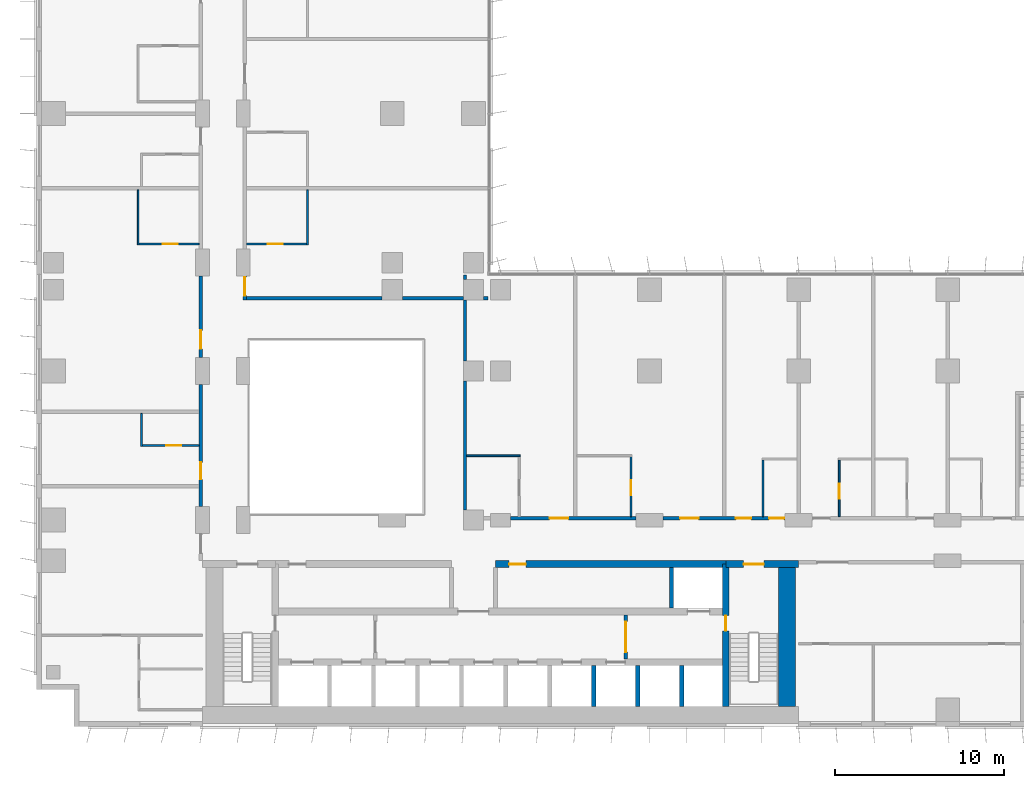
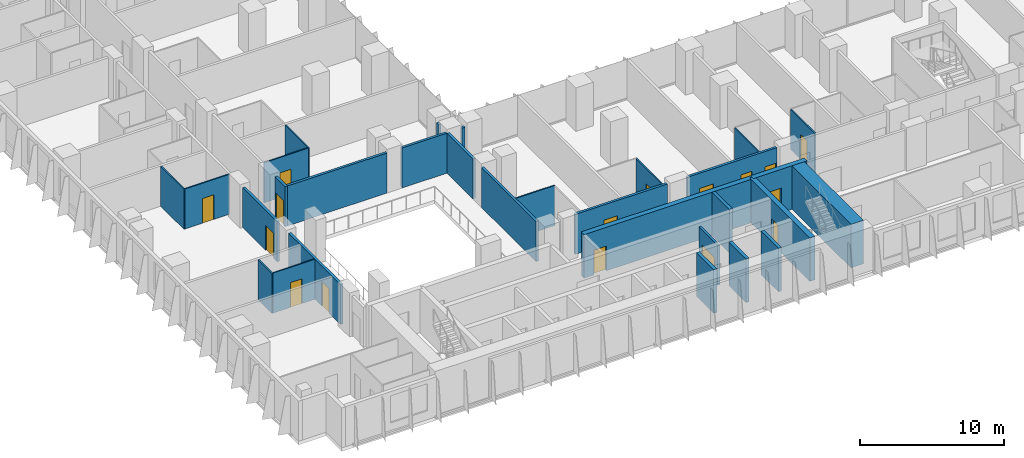
# One storey, part 13 of 24: 30 walls, 16 doors, 16 openings.
"""IFC4 building model written with IfcOpenShell, lengths in metres."""

from ifc_helpers import new_model, si_unit, direction, frame, frame_2d, origin, place, context, subcontext, project, spatial, rectangle, extrude, material, layer, layer_set, type_object, element, fill, save


model = new_model("IFC4")

# Units and contexts
model_context = context("Model", 3, precision=1e-05, world=origin(), true_north=direction((0.0, 1.0)))
body_context = subcontext(model_context, "Body", "Model", "MODEL_VIEW")
ifc_project = project(units=[si_unit("LENGTHUNIT", "METRE"), si_unit("AREAUNIT", "SQUARE_METRE"), si_unit("VOLUMEUNIT", "CUBIC_METRE"), si_unit("PLANEANGLEUNIT", "RADIAN"), si_unit("MASSUNIT", "GRAM", prefix="KILO")], contexts=[model_context])

# Site, building, storey
site_placement = place(None, origin())
site = spatial("IfcSite", under=ifc_project, at=site_placement, CompositionType="ELEMENT")
building_placement = place(site_placement, origin())
building = spatial("IfcBuilding", under=site, at=building_placement, Name="Kemantara Hotel Tower", CompositionType="ELEMENT")
storey_placement = place(building_placement, frame((0.0, 0.0, 52.5)))
storey = spatial("IfcBuildingStorey", under=building, at=storey_placement, Name="L11", CompositionType="ELEMENT", Elevation=52.5)

# Walls
ifc_material_1 = material(Name="Concrete fc 70 MPa", Category="concrete")
ifc_layer_1 = layer(ifc_material_1, 1.0)
ifc_layer_set_1 = layer_set([ifc_layer_1], Name="Concrete fc 70 MPa")
wall_type_1 = type_object("IfcWallType", Name="CORE WALL 1000 FC70", PredefinedType="SHEAR", material=ifc_layer_set_1)
wall_1_placement = place(storey_placement, frame((44.300048828125, 1.199951171875, 0.0), z_axis=(0.0, 0.0, 1.0), x_axis=(0.0, 1.0, 0.0)))
element("IfcWall", 1, at=wall_1_placement, inside=storey, type_object=wall_type_1, Name="CORE WALL CW-E", PredefinedType="SHEAR", context=body_context, shape_type="SweptSolid", body=[
    extrude(rectangle(XDim=8.60009765625, YDim=1.0, at=frame_2d((4.300048828125, 0.0))), origin(), (0.0, 0.0, 1.0), 3.699951171875),
])
ifc_layer_2 = layer(ifc_material_1, 0.25)
ifc_layer_set_2 = layer_set([ifc_layer_2], Name="Concrete fc 70 MPa")
wall_type_2 = type_object("IfcWallType", Name="CORE WALL 250 FC70", PredefinedType="SHEAR", material=ifc_layer_set_2)
for number, where, z_axis, x_axis, name in (
    (2, (32.89990234375, 1.199951171875, 0.0), (0.0, 0.0, 1.0), (0.0, 1.0, 0.0), "CORE WALL CW-DS32.9"),
    (3, (35.5, 1.199951171875, 0.0), (0.0, 0.0, 1.0), (0.0, 1.0, 0.0), "CORE WALL CW-DS35.5"),
    (4, (38.10009765625, 1.199951171875, 0.0), (0.0, 0.0, 1.0), (0.0, 1.0, 0.0), "CORE WALL CW-DS38.1"),
):
    element("IfcWall", number, at=place(storey_placement, frame(where, z_axis=z_axis, x_axis=x_axis)), inside=storey, type_object=wall_type_2, Name=name, PredefinedType="SHEAR", context=body_context, shape_type="SweptSolid", body=[
        extrude(rectangle(XDim=2.400146484375, YDim=0.25, at=frame_2d((1.2001953125, 0.0))), origin(), (0.0, 0.0, 1.0), 3.699951171875),
    ])
wall_2_placement = place(storey_placement, frame((37.5, 7.0, 0.0), z_axis=(0.0, 0.0, 1.0), x_axis=(0.0, 1.0, 0.0)))
element("IfcWall", 5, at=wall_2_placement, inside=storey, type_object=wall_type_2, Name="CORE WALL CW-DN37.5", PredefinedType="SHEAR", context=body_context, shape_type="SweptSolid", body=[
    extrude(rectangle(XDim=2.39990234375, YDim=0.25, at=frame_2d((1.199951171875, 0.0))), origin(), (0.0, 0.0, 1.0), 3.699951171875),
])

# Wall, opening, door
ifc_layer_3 = layer(ifc_material_1, 0.39990234375)
ifc_layer_set_3 = layer_set([ifc_layer_3], Name="Concrete fc 70 MPa")
wall_type_3 = type_object("IfcWallType", Name="CORE WALL 400 FC70", PredefinedType="SHEAR", material=ifc_layer_set_3)
wall_3_placement = place(storey_placement, frame((40.699951171875, 9.60009765625, 0.0), z_axis=(0.0, 0.0, 1.0), x_axis=(1.0, 0.0, 0.0)))
wall_3 = element("IfcWall", 6, at=wall_3_placement, inside=storey, type_object=wall_type_3, Name="CORE WALL CW-N2", PredefinedType="SHEAR", context=body_context, shape_type="SweptSolid", body=[
    extrude(rectangle(XDim=4.300048828125, YDim=0.39990234375, at=frame_2d((2.14990234375, 0.0))), origin(), (0.0, 0.0, 1.0), 3.699951171875),
])
opening_1_placement = place(wall_3_placement, frame((1.050048828125, 0.0, 0.0)))
opening_1 = element("IfcOpeningElement", 7, at=opening_1_placement, cuts=wall_3, Name="Opening C09-ST2-C", PredefinedType="OPENING", context=body_context, shape_type="SweptSolid", body=[
    extrude(rectangle(XDim=1.199951171875, YDim=2.10009765625, at=frame_2d((0.60009765625, 1.050048828125))), frame((0.0, 0.2099609375, 0.0), z_axis=(0.0, -1.0, 0.0), x_axis=(1.0, 0.0, 0.0)), (0.0, 0.0, 1.0), 0.419921875),
])
ifc_material_2 = material(Name="Steel fire door", Category="steel")
door_type_1 = type_object("IfcDoorType", Name="Fire door FD90 1200 x 2100", OperationType="NOTDEFINED", PredefinedType="DOOR", material=ifc_material_2)
door_1_placement = place(opening_1_placement, frame((1.199951171875, 0.0, 0.0), z_axis=(0.0, 0.0, 1.0), x_axis=(-1.0, 0.0, 0.0)))
door_1 = element("IfcDoor", 8, at=door_1_placement, inside=storey, type_object=door_type_1, Name="Stair ST2 door to corridor", OperationType="SINGLE_SWING_RIGHT", OverallHeight=2.10009765625, OverallWidth=1.199951171875, PredefinedType="DOOR", context=body_context, shape_type="SweptSolid", body=[
    extrude(rectangle(XDim=1.199951171875, YDim=2.10009765625, at=frame_2d((0.60009765625, 1.050048828125))), frame((0.0, 0.02490234375, 0.0), z_axis=(0.0, -1.0, 0.0), x_axis=(1.0, 0.0, 0.0)), (0.0, 0.0, 1.0), 0.050048828125),
])
fill(opening_1, door_1)

wall_4_placement = place(storey_placement, frame((27.10009765625, 9.60009765625, 0.0), z_axis=(0.0, 0.0, 1.0), x_axis=(1.0, 0.0, 0.0)))
wall_4 = element("IfcWall", 9, at=wall_4_placement, inside=storey, type_object=wall_type_3, Name="CORE WALL CW-NN2", PredefinedType="SHEAR", context=body_context, shape_type="SweptSolid", body=[
    extrude(rectangle(XDim=13.599853515625, YDim=0.39990234375, at=frame_2d((6.7998046875, 0.0))), origin(), (0.0, 0.0, 1.0), 3.699951171875),
])
opening_2_placement = place(wall_4_placement, frame((0.800048828125, 0.0, 0.0)))
opening_2 = element("IfcOpeningElement", 10, at=opening_2_placement, cuts=wall_4, Name="Opening C09-R-NE1", PredefinedType="OPENING", context=body_context, shape_type="SweptSolid", body=[
    extrude(rectangle(XDim=1.0, YDim=2.10009765625, at=frame_2d((0.5, 1.050048828125))), frame((0.0, 0.2099609375, 0.0), z_axis=(0.0, -1.0, 0.0), x_axis=(1.0, 0.0, 0.0)), (0.0, 0.0, 1.0), 0.419921875),
])
door_type_2 = type_object("IfcDoorType", Name="Fire door FD30S 1000 x 2100", OperationType="NOTDEFINED", PredefinedType="DOOR", material=ifc_material_2)
door_2_placement = place(opening_2_placement, frame((1.0, 0.0, 0.0), z_axis=(0.0, 0.0, 1.0), x_axis=(-1.0, 0.0, 0.0)))
door_2 = element("IfcDoor", 11, at=door_2_placement, inside=storey, type_object=door_type_2, Name="Staff Lounge door", OperationType="SINGLE_SWING_RIGHT", OverallHeight=2.10009765625, OverallWidth=1.0, PredefinedType="DOOR", context=body_context, shape_type="SweptSolid", body=[
    extrude(rectangle(XDim=1.0, YDim=2.10009765625, at=frame_2d((0.5, 1.050048828125))), frame((0.0, 0.02490234375, 0.0), z_axis=(0.0, -1.0, 0.0), x_axis=(1.0, 0.0, 0.0)), (0.0, 0.0, 1.0), 0.050048828125),
])
fill(opening_2, door_2)

wall_5_placement = place(storey_placement, frame((40.699951171875, 1.199951171875, 0.0), z_axis=(0.0, 0.0, 1.0), x_axis=(0.0, 1.0, 0.0)))
wall_5 = element("IfcWall", 12, at=wall_5_placement, inside=storey, type_object=wall_type_3, Name="CORE WALL CW-ST2W", PredefinedType="SHEAR", context=body_context, shape_type="SweptSolid", body=[
    extrude(rectangle(XDim=8.400146484375, YDim=0.39990234375, at=frame_2d((4.2001953125, 0.0))), origin(), (0.0, 0.0, 1.0), 3.699951171875),
])
opening_3_placement = place(wall_5_placement, frame((4.449951171875, 0.0, 0.0)))
opening_3 = element("IfcOpeningElement", 13, at=opening_3_placement, cuts=wall_5, Name="Opening C09-ST2-F", PredefinedType="OPENING", context=body_context, shape_type="SweptSolid", body=[
    extrude(rectangle(XDim=0.89990234375, YDim=2.10009765625, at=frame_2d((0.449951171875, 1.050048828125))), frame((0.0, 0.2099609375, 0.0), z_axis=(0.0, -1.0, 0.0), x_axis=(1.0, 0.0, 0.0)), (0.0, 0.0, 1.0), 0.419921875),
])
door_type_3 = type_object("IfcDoorType", Name="Fire door FD90 900 x 2100", OperationType="NOTDEFINED", PredefinedType="DOOR", material=ifc_material_2)
door_3_placement = place(opening_3_placement, frame((0.89990234375, 0.0, 0.0), z_axis=(0.0, 0.0, 1.0), x_axis=(-1.0, 0.0, 0.0)))
door_3 = element("IfcDoor", 14, at=door_3_placement, inside=storey, type_object=door_type_3, Name="Stair ST2 door to firefighting lobby", OperationType="SINGLE_SWING_LEFT", OverallHeight=2.10009765625, OverallWidth=0.89990234375, PredefinedType="DOOR", context=body_context, shape_type="SweptSolid", body=[
    extrude(rectangle(XDim=0.89990234375, YDim=2.10009765625, at=frame_2d((0.449951171875, 1.050048828125))), frame((0.0, 0.02490234375, 0.0), z_axis=(0.0, -1.0, 0.0), x_axis=(1.0, 0.0, 0.0)), (0.0, 0.0, 1.0), 0.050048828125),
])
fill(opening_3, door_3)

ifc_material_3 = material(Name="Gypsum board partition, steel studs and mineral wool, 200 mm", Category="steel")
ifc_layer_4 = layer(ifc_material_3, 0.199951171875)
ifc_layer_set_4 = layer_set([ifc_layer_4], Name="Gypsum board partition, steel studs and mineral wool, 200 mm")
wall_type_4 = type_object("IfcWallType", Name="CORRIDOR WALL 200", PredefinedType="PARTITIONING", material=ifc_layer_set_4)
wall_6_placement = place(storey_placement, frame((28.0, 12.300048828125, 0.0), z_axis=(0.0, 0.0, 1.0), x_axis=(1.0, 0.0, 0.0)))
wall_6 = element("IfcWall", 15, at=wall_6_placement, inside=storey, type_object=wall_type_4, Name="CORRIDOR WALL 200 011", PredefinedType="PARTITIONING", context=body_context, shape_type="SweptSolid", body=[
    extrude(rectangle(XDim=7.39990234375, YDim=0.199951171875, at=frame_2d((3.699951171875, 0.0))), origin(), (0.0, 0.0, 1.0), 3.39990234375),
])
opening_4_placement = place(wall_6_placement, frame((2.2998046875, 0.0, 0.0)))
opening_4 = element("IfcOpeningElement", 16, at=opening_4_placement, cuts=wall_6, Name="Opening F03-012", PredefinedType="OPENING", context=body_context, shape_type="SweptSolid", body=[
    extrude(rectangle(XDim=1.10009765625, YDim=2.10009765625, at=frame_2d((0.550048828125, 1.050048828125))), frame((0.0, 0.10986328125, 0.0), z_axis=(0.0, -1.0, 0.0), x_axis=(1.0, 0.0, 0.0)), (0.0, 0.0, 1.0), 0.219970703125),
])
ifc_material_4 = material(Name="Hardwood veneer door leaf with steel frame", Category="steel")
door_type_4 = type_object("IfcDoorType", Name="SUITE ENTRANCE DOOR 1100 X 2100 FD30S", OperationType="NOTDEFINED", PredefinedType="DOOR", material=ifc_material_4)
door_4_placement = place(opening_4_placement, origin())
door_4 = element("IfcDoor", 17, at=door_4_placement, inside=storey, type_object=door_type_4, Name="SUITE ENTRANCE DOOR F03-012", OperationType="SINGLE_SWING_RIGHT", OverallHeight=2.10009765625, OverallWidth=1.10009765625, PredefinedType="DOOR", context=body_context, shape_type="SweptSolid", body=[
    extrude(rectangle(XDim=1.10009765625, YDim=2.10009765625, at=frame_2d((0.550048828125, 1.050048828125))), frame((0.0, 0.02490234375, 0.0), z_axis=(0.0, -1.0, 0.0), x_axis=(1.0, 0.0, 0.0)), (0.0, 0.0, 1.0), 0.050048828125),
])
fill(opening_4, door_4)

# Wall, openings, doors
wall_7_placement = place(storey_placement, frame((37.0, 12.300048828125, 0.0), z_axis=(0.0, 0.0, 1.0), x_axis=(1.0, 0.0, 0.0)))
wall_7 = element("IfcWall", 18, at=wall_7_placement, inside=storey, type_object=wall_type_4, Name="CORRIDOR WALL 200 012", PredefinedType="PARTITIONING", context=body_context, shape_type="SweptSolid", body=[
    extrude(rectangle(XDim=7.199951171875, YDim=0.199951171875, at=frame_2d((3.60009765625, 0.0))), origin(), (0.0, 0.0, 1.0), 3.39990234375),
])
opening_5_placement = place(wall_7_placement, frame((1.0, 0.0, 0.0)))
opening_5 = element("IfcOpeningElement", 19, at=opening_5_placement, cuts=wall_7, Name="Opening F03-014", PredefinedType="OPENING", context=body_context, shape_type="SweptSolid", body=[
    extrude(rectangle(XDim=1.10009765625, YDim=2.10009765625, at=frame_2d((0.550048828125, 1.050048828125))), frame((0.0, 0.10986328125, 0.0), z_axis=(0.0, -1.0, 0.0), x_axis=(1.0, 0.0, 0.0)), (0.0, 0.0, 1.0), 0.219970703125),
])
opening_6_placement = place(wall_7_placement, frame((4.2998046875, 0.0, 0.0)))
opening_6 = element("IfcOpeningElement", 20, at=opening_6_placement, cuts=wall_7, Name="Opening F03-016", PredefinedType="OPENING", context=body_context, shape_type="SweptSolid", body=[
    extrude(rectangle(XDim=0.89990234375, YDim=2.10009765625, at=frame_2d((0.449951171875, 1.050048828125))), frame((0.0, 0.10986328125, 0.0), z_axis=(0.0, -1.0, 0.0), x_axis=(1.0, 0.0, 0.0)), (0.0, 0.0, 1.0), 0.219970703125),
])
opening_7_placement = place(wall_7_placement, frame((6.25, 0.0, 0.0)))
opening_7 = element("IfcOpeningElement", 21, at=opening_7_placement, cuts=wall_7, Name="Opening F03-017", PredefinedType="OPENING", context=body_context, shape_type="SweptSolid", body=[
    extrude(rectangle(XDim=0.89990234375, YDim=2.10009765625, at=frame_2d((0.449951171875, 1.050048828125))), frame((0.0, 0.10986328125, 0.0), z_axis=(0.0, -1.0, 0.0), x_axis=(1.0, 0.0, 0.0)), (0.0, 0.0, 1.0), 0.219970703125),
])
ifc_material_5 = material(Name="Steel door leaf with steel frame", Category="steel")
door_type_5 = type_object("IfcDoorType", Name="SERVICE ROOM DOOR 900 X 2100 FD60", OperationType="NOTDEFINED", PredefinedType="DOOR", material=ifc_material_5)
door_5_placement = place(opening_6_placement, origin())
door_5 = element("IfcDoor", 22, at=door_5_placement, inside=storey, type_object=door_type_5, Name="SERVICE ROOM DOOR F03-016", OperationType="SINGLE_SWING_LEFT", OverallHeight=2.10009765625, OverallWidth=0.89990234375, PredefinedType="DOOR", context=body_context, shape_type="SweptSolid", body=[
    extrude(rectangle(XDim=0.89990234375, YDim=2.10009765625, at=frame_2d((0.449951171875, 1.050048828125))), frame((0.0, 0.02490234375, 0.0), z_axis=(0.0, -1.0, 0.0), x_axis=(1.0, 0.0, 0.0)), (0.0, 0.0, 1.0), 0.050048828125),
])
fill(opening_6, door_5)
door_6_placement = place(opening_7_placement, origin())
door_6 = element("IfcDoor", 23, at=door_6_placement, inside=storey, type_object=door_type_5, Name="SERVICE ROOM DOOR F03-017", OperationType="SINGLE_SWING_RIGHT", OverallHeight=2.10009765625, OverallWidth=0.89990234375, PredefinedType="DOOR", context=body_context, shape_type="SweptSolid", body=[
    extrude(rectangle(XDim=0.89990234375, YDim=2.10009765625, at=frame_2d((0.449951171875, 1.050048828125))), frame((0.0, 0.02490234375, 0.0), z_axis=(0.0, -1.0, 0.0), x_axis=(1.0, 0.0, 0.0)), (0.0, 0.0, 1.0), 0.050048828125),
])
fill(opening_7, door_6)
door_7_placement = place(opening_5_placement, origin())
door_7 = element("IfcDoor", 24, at=door_7_placement, inside=storey, type_object=door_type_4, Name="SUITE ENTRANCE DOOR F03-014", OperationType="SINGLE_SWING_RIGHT", OverallHeight=2.10009765625, OverallWidth=1.10009765625, PredefinedType="DOOR", context=body_context, shape_type="SweptSolid", body=[
    extrude(rectangle(XDim=1.10009765625, YDim=2.10009765625, at=frame_2d((0.550048828125, 1.050048828125))), frame((0.0, 0.02490234375, 0.0), z_axis=(0.0, -1.0, 0.0), x_axis=(1.0, 0.0, 0.0)), (0.0, 0.0, 1.0), 0.050048828125),
])
fill(opening_5, door_7)

# Wall, opening, door
wall_8_placement = place(storey_placement, frame((9.699951171875, 13.0, 0.0), z_axis=(0.0, 0.0, 1.0), x_axis=(0.0, 1.0, 0.0)))
wall_8 = element("IfcWall", 25, at=wall_8_placement, inside=storey, type_object=wall_type_4, Name="CORRIDOR WALL 200 028", PredefinedType="PARTITIONING", context=body_context, shape_type="SweptSolid", body=[
    extrude(rectangle(XDim=7.199951171875, YDim=0.199951171875, at=frame_2d((3.60009765625, 0.0))), origin(), (0.0, 0.0, 1.0), 3.39990234375),
])
opening_8_placement = place(wall_8_placement, frame((1.599853515625, 0.0, 0.0)))
opening_8 = element("IfcOpeningElement", 26, at=opening_8_placement, cuts=wall_8, Name="Opening F03-034", PredefinedType="OPENING", context=body_context, shape_type="SweptSolid", body=[
    extrude(rectangle(XDim=1.0, YDim=2.10009765625, at=frame_2d((0.5, 1.050048828125))), frame((0.0, 0.10986328125, 0.0), z_axis=(0.0, -1.0, 0.0), x_axis=(1.0, 0.0, 0.0)), (0.0, 0.0, 1.0), 0.219970703125),
])
door_type_6 = type_object("IfcDoorType", Name="GUEST ROOM DOOR 1000 X 2100 FD30S", OperationType="NOTDEFINED", PredefinedType="DOOR", material=ifc_material_4)
door_8_placement = place(opening_8_placement, origin())
door_8 = element("IfcDoor", 27, at=door_8_placement, inside=storey, type_object=door_type_6, Name="GUEST ROOM DOOR F03-034", OperationType="SINGLE_SWING_LEFT", OverallHeight=2.10009765625, OverallWidth=1.0, PredefinedType="DOOR", context=body_context, shape_type="SweptSolid", body=[
    extrude(rectangle(XDim=1.0, YDim=2.10009765625, at=frame_2d((0.5, 1.050048828125))), frame((0.0, 0.02490234375, 0.0), z_axis=(0.0, -1.0, 0.0), x_axis=(1.0, 0.0, 0.0)), (0.0, 0.0, 1.0), 0.050048828125),
])
fill(opening_8, door_8)

wall_9_placement = place(storey_placement, frame((9.699951171875, 21.800048828125, 0.0), z_axis=(0.0, 0.0, 1.0), x_axis=(0.0, 1.0, 0.0)))
wall_9 = element("IfcWall", 28, at=wall_9_placement, inside=storey, type_object=wall_type_4, Name="CORRIDOR WALL 200 029", PredefinedType="PARTITIONING", context=body_context, shape_type="SweptSolid", body=[
    extrude(rectangle(XDim=4.7998046875, YDim=0.199951171875, at=frame_2d((2.39990234375, 0.0))), origin(), (0.0, 0.0, 1.0), 3.39990234375),
])
opening_9_placement = place(wall_9_placement, frame((0.5, 0.0, 0.0)))
opening_9 = element("IfcOpeningElement", 29, at=opening_9_placement, cuts=wall_9, Name="Opening F03-036", PredefinedType="OPENING", context=body_context, shape_type="SweptSolid", body=[
    extrude(rectangle(XDim=1.10009765625, YDim=2.10009765625, at=frame_2d((0.550048828125, 1.050048828125))), frame((0.0, 0.10986328125, 0.0), z_axis=(0.0, -1.0, 0.0), x_axis=(1.0, 0.0, 0.0)), (0.0, 0.0, 1.0), 0.219970703125),
])
door_9_placement = place(opening_9_placement, origin())
door_9 = element("IfcDoor", 30, at=door_9_placement, inside=storey, type_object=door_type_4, Name="SUITE ENTRANCE DOOR F03-036", OperationType="SINGLE_SWING_LEFT", OverallHeight=2.10009765625, OverallWidth=1.10009765625, PredefinedType="DOOR", context=body_context, shape_type="SweptSolid", body=[
    extrude(rectangle(XDim=1.10009765625, YDim=2.10009765625, at=frame_2d((0.550048828125, 1.050048828125))), frame((0.0, 0.02490234375, 0.0), z_axis=(0.0, -1.0, 0.0), x_axis=(1.0, 0.0, 0.0)), (0.0, 0.0, 1.0), 0.050048828125),
])
fill(opening_9, door_9)

wall_10_placement = place(storey_placement, frame((12.300048828125, 26.599853515625, 0.0), z_axis=(0.0, 0.0, 1.0), x_axis=(0.0, -1.0, 0.0)))
wall_10 = element("IfcWall", 31, at=wall_10_placement, inside=storey, type_object=wall_type_4, Name="CORRIDOR WALL 200 046", PredefinedType="PARTITIONING", context=body_context, shape_type="SweptSolid", body=[
    extrude(rectangle(XDim=1.39990234375, YDim=0.199951171875, at=frame_2d((0.699951171875, 0.0))), origin(), (0.0, 0.0, 1.0), 3.39990234375),
])
opening_10_placement = place(wall_10_placement, frame((0.0498046875, 0.0, 0.0)))
opening_10 = element("IfcOpeningElement", 32, at=opening_10_placement, cuts=wall_10, Name="Opening F03-054", PredefinedType="OPENING", context=body_context, shape_type="SweptSolid", body=[
    extrude(rectangle(XDim=1.10009765625, YDim=2.10009765625, at=frame_2d((0.550048828125, 1.050048828125))), frame((0.0, 0.10986328125, 0.0), z_axis=(0.0, -1.0, 0.0), x_axis=(1.0, 0.0, 0.0)), (0.0, 0.0, 1.0), 0.219970703125),
])
door_10_placement = place(opening_10_placement, origin())
door_10 = element("IfcDoor", 33, at=door_10_placement, inside=storey, type_object=door_type_4, Name="SUITE ENTRANCE DOOR F03-054", OperationType="SINGLE_SWING_RIGHT", OverallHeight=2.10009765625, OverallWidth=1.10009765625, PredefinedType="DOOR", context=body_context, shape_type="SweptSolid", body=[
    extrude(rectangle(XDim=1.10009765625, YDim=2.10009765625, at=frame_2d((0.550048828125, 1.050048828125))), frame((0.0, 0.02490234375, 0.0), z_axis=(0.0, -1.0, 0.0), x_axis=(1.0, 0.0, 0.0)), (0.0, 0.0, 1.0), 0.050048828125),
])
fill(opening_10, door_10)

# Walls
ifc_layer_5 = layer(ifc_material_3, 0.199951171875)
ifc_layer_set_5 = layer_set([ifc_layer_5], Name="Gypsum board partition, steel studs and mineral wool, 200 mm")
wall_type_5 = type_object("IfcWallType", Name="GUEST ROOM PARTY WALL 200", PredefinedType="PARTITIONING", material=ifc_layer_set_5)
wall_11_placement = place(storey_placement, frame((25.300048828125, 12.800048828125, 0.0), z_axis=(0.0, 0.0, 1.0), x_axis=(0.0, 1.0, 0.0)))
element("IfcWall", 34, at=wall_11_placement, inside=storey, type_object=wall_type_5, Name="GUEST ROOM PARTY WALL 200 017", PredefinedType="PARTITIONING", context=body_context, shape_type="SweptSolid", body=[
    extrude(rectangle(XDim=7.599853515625, YDim=0.199951171875, at=frame_2d((3.7998046875, 0.0))), origin(), (0.0, 0.0, 1.0), 3.39990234375),
])
wall_12_placement = place(storey_placement, frame((25.300048828125, 21.60009765625, 0.0), z_axis=(0.0, 0.0, 1.0), x_axis=(0.0, 1.0, 0.0)))
element("IfcWall", 35, at=wall_12_placement, inside=storey, type_object=wall_type_5, Name="GUEST ROOM PARTY WALL 200 018", PredefinedType="PARTITIONING", context=body_context, shape_type="SweptSolid", body=[
    extrude(rectangle(XDim=3.599853515625, YDim=0.199951171875, at=frame_2d((1.7998046875, 0.0))), origin(), (0.0, 0.0, 1.0), 3.39990234375),
])
wall_13_placement = place(storey_placement, frame((25.300048828125, 26.400146484375, 0.0), z_axis=(0.0, 0.0, 1.0), x_axis=(0.0, 1.0, 0.0)))
element("IfcWall", 36, at=wall_13_placement, inside=storey, type_object=wall_type_5, Name="GUEST ROOM PARTY WALL 200 019", PredefinedType="PARTITIONING", context=body_context, shape_type="SweptSolid", body=[
    extrude(rectangle(XDim=0.269775390625, YDim=0.199951171875, at=frame_2d((0.134765625, 0.0))), origin(), (0.0, 0.0, 1.0), 3.39990234375),
])
wall_14_placement = place(storey_placement, frame((12.39990234375, 25.300048828125, 0.0), z_axis=(0.0, 0.0, 1.0), x_axis=(1.0, 0.0, 0.0)))
element("IfcWall", 37, at=wall_14_placement, inside=storey, type_object=wall_type_5, Name="GUEST ROOM PARTY WALL 200 053", PredefinedType="PARTITIONING", context=body_context, shape_type="SweptSolid", body=[
    extrude(rectangle(XDim=8.0, YDim=0.199951171875, at=frame_2d((4.0, 0.0))), origin(), (0.0, 0.0, 1.0), 3.39990234375),
])
wall_15_placement = place(storey_placement, frame((21.60009765625, 25.300048828125, 0.0), z_axis=(0.0, 0.0, 1.0), x_axis=(1.0, 0.0, 0.0)))
element("IfcWall", 38, at=wall_15_placement, inside=storey, type_object=wall_type_5, Name="GUEST ROOM PARTY WALL 200 054", PredefinedType="PARTITIONING", context=body_context, shape_type="SweptSolid", body=[
    extrude(rectangle(XDim=3.599853515625, YDim=0.199951171875, at=frame_2d((1.7998046875, 0.0))), origin(), (0.0, 0.0, 1.0), 3.39990234375),
])
wall_16_placement = place(storey_placement, frame((26.400146484375, 25.300048828125, 0.0), z_axis=(0.0, 0.0, 1.0), x_axis=(1.0, 0.0, 0.0)))
element("IfcWall", 39, at=wall_16_placement, inside=storey, type_object=wall_type_5, Name="GUEST ROOM PARTY WALL 200 055", PredefinedType="PARTITIONING", context=body_context, shape_type="SweptSolid", body=[
    extrude(rectangle(XDim=0.269775390625, YDim=0.199951171875, at=frame_2d((0.134765625, 0.0))), origin(), (0.0, 0.0, 1.0), 3.39990234375),
])

# Wall, opening, door
ifc_material_6 = material(Name="Gypsum board shaft wall")
ifc_layer_6 = layer(ifc_material_6, 0.199951171875)
ifc_layer_set_6 = layer_set([ifc_layer_6], Name="Gypsum board shaft wall")
wall_type_6 = type_object("IfcWallType", Name="Gypsum board shaft wall 200 mm", PredefinedType="PARTITIONING", material=ifc_layer_set_6)
wall_17_placement = place(storey_placement, frame((34.800048828125, 4.0, 0.0), z_axis=(0.0, 0.0, 1.0), x_axis=(0.0, 1.0, 0.0)))
wall_17 = element("IfcWall", 40, at=wall_17_placement, inside=storey, type_object=wall_type_6, Name="Firefighting lobby partition east", PredefinedType="PARTITIONING", context=body_context, shape_type="SweptSolid", body=[
    extrude(rectangle(XDim=2.60009765625, YDim=0.199951171875, at=frame_2d((1.300048828125, 0.0))), origin(), (0.0, 0.0, 1.0), 3.39990234375),
])
opening_11_placement = place(wall_17_placement, frame((0.39990234375, 0.0, 0.0)))
opening_11 = element("IfcOpeningElement", 41, at=opening_11_placement, cuts=wall_17, Name="Opening C09-FFE", PredefinedType="OPENING", context=body_context, shape_type="SweptSolid", body=[
    extrude(rectangle(XDim=1.800048828125, YDim=2.10009765625, at=frame_2d((0.89990234375, 1.050048828125))), frame((0.0, 0.10986328125, 0.0), z_axis=(0.0, -1.0, 0.0), x_axis=(1.0, 0.0, 0.0)), (0.0, 0.0, 1.0), 0.219970703125),
])
door_type_7 = type_object("IfcDoorType", Name="Fire door pair FD60 1800 x 2100", OperationType="DOUBLE_DOOR_SINGLE_SWING", PredefinedType="DOOR", material=ifc_material_2)
door_11_placement = place(opening_11_placement, frame((1.800048828125, 0.0, 0.0), z_axis=(0.0, 0.0, 1.0), x_axis=(-1.0, 0.0, 0.0)))
door_11 = element("IfcDoor", 42, at=door_11_placement, inside=storey, type_object=door_type_7, Name="Firefighting lobby door east", OperationType="DOUBLE_DOOR_SINGLE_SWING", OverallHeight=2.10009765625, OverallWidth=1.800048828125, PredefinedType="DOOR", context=body_context, shape_type="SweptSolid", body=[
    extrude(rectangle(XDim=1.800048828125, YDim=2.10009765625, at=frame_2d((0.89990234375, 1.050048828125))), frame((0.0, 0.02490234375, 0.0), z_axis=(0.0, -1.0, 0.0), x_axis=(1.0, 0.0, 0.0)), (0.0, 0.0, 1.0), 0.050048828125),
])
fill(opening_11, door_11)

# Wall
ifc_material_7 = material(Name="Gypsum board partition on steel studs, 100 mm", Category="steel")
ifc_layer_7 = layer(ifc_material_7, 0.10009765625)
ifc_layer_set_7 = layer_set([ifc_layer_7], Name="Gypsum board partition on steel studs, 100 mm")
wall_type_7 = type_object("IfcWallType", Name="ROOM PARTITION 100", PredefinedType="PARTITIONING", material=ifc_layer_set_7)
wall_18_placement = place(storey_placement, frame((25.39990234375, 16.0, 0.0), z_axis=(0.0, 0.0, 1.0), x_axis=(1.0, 0.0, 0.0)))
element("IfcWall", 43, at=wall_18_placement, inside=storey, type_object=wall_type_7, Name="ROOM PARTITION 100 075", PredefinedType="PARTITIONING", context=body_context, shape_type="SweptSolid", body=[
    extrude(rectangle(XDim=3.150146484375, YDim=0.10009765625, at=frame_2d((1.5751953125, 0.0))), origin(), (0.0, 0.0, 1.0), 3.39990234375),
])

# Wall, opening, door
wall_19_placement = place(storey_placement, frame((35.10009765625, 12.39990234375, 0.0), z_axis=(0.0, 0.0, 1.0), x_axis=(0.0, 1.0, 0.0)))
wall_19 = element("IfcWall", 44, at=wall_19_placement, inside=storey, type_object=wall_type_7, Name="ROOM PARTITION 100 078", PredefinedType="PARTITIONING", context=body_context, shape_type="SweptSolid", body=[
    extrude(rectangle(XDim=3.550048828125, YDim=0.10009765625, at=frame_2d((1.77490234375, 0.0))), origin(), (0.0, 0.0, 1.0), 3.39990234375),
])
opening_12_placement = place(wall_19_placement, frame((1.25, 0.0, 0.0)))
opening_12 = element("IfcOpeningElement", 45, at=opening_12_placement, cuts=wall_19, Name="Opening F03-015", PredefinedType="OPENING", context=body_context, shape_type="SweptSolid", body=[
    extrude(rectangle(XDim=0.89990234375, YDim=2.10009765625, at=frame_2d((0.449951171875, 1.050048828125))), frame((0.0, 0.06005859375, 0.0), z_axis=(0.0, -1.0, 0.0), x_axis=(1.0, 0.0, 0.0)), (0.0, 0.0, 1.0), 0.1201171875),
])
door_type_8 = type_object("IfcDoorType", Name="BATHROOM DOOR 900 X 2100", OperationType="NOTDEFINED", PredefinedType="DOOR", material=ifc_material_4)
door_12_placement = place(opening_12_placement, origin())
door_12 = element("IfcDoor", 46, at=door_12_placement, inside=storey, type_object=door_type_8, Name="BATHROOM DOOR F03-015", OperationType="SINGLE_SWING_LEFT", OverallHeight=2.10009765625, OverallWidth=0.89990234375, PredefinedType="DOOR", context=body_context, shape_type="SweptSolid", body=[
    extrude(rectangle(XDim=0.89990234375, YDim=2.10009765625, at=frame_2d((0.449951171875, 1.050048828125))), frame((0.0, 0.02490234375, 0.0), z_axis=(0.0, -1.0, 0.0), x_axis=(1.0, 0.0, 0.0)), (0.0, 0.0, 1.0), 0.050048828125),
])
fill(opening_12, door_12)

# Wall
wall_20_placement = place(storey_placement, frame((42.89990234375, 12.39990234375, 0.0), z_axis=(0.0, 0.0, 1.0), x_axis=(0.0, 1.0, 0.0)))
element("IfcWall", 47, at=wall_20_placement, inside=storey, type_object=wall_type_7, Name="ROOM PARTITION 100 085", PredefinedType="PARTITIONING", context=body_context, shape_type="SweptSolid", body=[
    extrude(rectangle(XDim=3.35009765625, YDim=0.10009765625, at=frame_2d((1.675048828125, 0.0))), origin(), (0.0, 0.0, 1.0), 3.39990234375),
])

# Wall, opening, door
wall_21_placement = place(storey_placement, frame((47.39990234375, 15.75, 0.0), z_axis=(0.0, 0.0, 1.0), x_axis=(0.0, -1.0, 0.0)))
wall_21 = element("IfcWall", 48, at=wall_21_placement, inside=storey, type_object=wall_type_7, Name="ROOM PARTITION 100 086", PredefinedType="PARTITIONING", context=body_context, shape_type="SweptSolid", body=[
    extrude(rectangle(XDim=3.35009765625, YDim=0.10009765625, at=frame_2d((1.675048828125, 0.0))), origin(), (0.0, 0.0, 1.0), 3.39990234375),
])
opening_13_placement = place(wall_21_placement, frame((1.39990234375, 0.0, 0.0)))
opening_13 = element("IfcOpeningElement", 49, at=opening_13_placement, cuts=wall_21, Name="Opening F03-019", PredefinedType="OPENING", context=body_context, shape_type="SweptSolid", body=[
    extrude(rectangle(XDim=0.89990234375, YDim=2.10009765625, at=frame_2d((0.449951171875, 1.050048828125))), frame((0.0, 0.06005859375, 0.0), z_axis=(0.0, -1.0, 0.0), x_axis=(1.0, 0.0, 0.0)), (0.0, 0.0, 1.0), 0.1201171875),
])
door_13_placement = place(opening_13_placement, origin())
door_13 = element("IfcDoor", 50, at=door_13_placement, inside=storey, type_object=door_type_8, Name="BATHROOM DOOR F03-019", OperationType="SINGLE_SWING_RIGHT", OverallHeight=2.10009765625, OverallWidth=0.89990234375, PredefinedType="DOOR", context=body_context, shape_type="SweptSolid", body=[
    extrude(rectangle(XDim=0.89990234375, YDim=2.10009765625, at=frame_2d((0.449951171875, 1.050048828125))), frame((0.0, 0.02490234375, 0.0), z_axis=(0.0, -1.0, 0.0), x_axis=(1.0, 0.0, 0.0)), (0.0, 0.0, 1.0), 0.050048828125),
])
fill(opening_13, door_13)

# Wall
wall_22_placement = place(storey_placement, frame((6.199951171875, 16.550048828125, 0.0), z_axis=(0.0, 0.0, 1.0), x_axis=(0.0, 1.0, 0.0)))
element("IfcWall", 51, at=wall_22_placement, inside=storey, type_object=wall_type_7, Name="ROOM PARTITION 100 096", PredefinedType="PARTITIONING", context=body_context, shape_type="SweptSolid", body=[
    extrude(rectangle(XDim=1.949951171875, YDim=0.10009765625, at=frame_2d((0.97509765625, 0.0))), origin(), (0.0, 0.0, 1.0), 3.39990234375),
])

# Wall, opening, door
wall_23_placement = place(storey_placement, frame((6.25, 16.60009765625, 0.0), z_axis=(0.0, 0.0, 1.0), x_axis=(1.0, 0.0, 0.0)))
wall_23 = element("IfcWall", 52, at=wall_23_placement, inside=storey, type_object=wall_type_7, Name="ROOM PARTITION 100 103", PredefinedType="PARTITIONING", context=body_context, shape_type="SweptSolid", body=[
    extrude(rectangle(XDim=3.35009765625, YDim=0.10009765625, at=frame_2d((1.675048828125, 0.0))), origin(), (0.0, 0.0, 1.0), 3.39990234375),
])
opening_14_placement = place(wall_23_placement, frame((1.39990234375, 0.0, 0.0)))
opening_14 = element("IfcOpeningElement", 53, at=opening_14_placement, cuts=wall_23, Name="Opening F03-035", PredefinedType="OPENING", context=body_context, shape_type="SweptSolid", body=[
    extrude(rectangle(XDim=0.89990234375, YDim=2.10009765625, at=frame_2d((0.449951171875, 1.050048828125))), frame((0.0, 0.06005859375, 0.0), z_axis=(0.0, -1.0, 0.0), x_axis=(1.0, 0.0, 0.0)), (0.0, 0.0, 1.0), 0.1201171875),
])
door_14_placement = place(opening_14_placement, origin())
door_14 = element("IfcDoor", 54, at=door_14_placement, inside=storey, type_object=door_type_8, Name="BATHROOM DOOR F03-035", OperationType="SINGLE_SWING_RIGHT", OverallHeight=2.10009765625, OverallWidth=0.89990234375, PredefinedType="DOOR", context=body_context, shape_type="SweptSolid", body=[
    extrude(rectangle(XDim=0.89990234375, YDim=2.10009765625, at=frame_2d((0.449951171875, 1.050048828125))), frame((0.0, 0.02490234375, 0.0), z_axis=(0.0, -1.0, 0.0), x_axis=(1.0, 0.0, 0.0)), (0.0, 0.0, 1.0), 0.050048828125),
])
fill(opening_14, door_14)

# Wall
wall_24_placement = place(storey_placement, frame((6.0, 28.449951171875, 0.0), z_axis=(0.0, 0.0, 1.0), x_axis=(0.0, 1.0, 0.0)))
element("IfcWall", 55, at=wall_24_placement, inside=storey, type_object=wall_type_7, Name="ROOM PARTITION 100 104", PredefinedType="PARTITIONING", context=body_context, shape_type="SweptSolid", body=[
    extrude(rectangle(XDim=3.25, YDim=0.10009765625, at=frame_2d((1.625, 0.0))), origin(), (0.0, 0.0, 1.0), 3.39990234375),
])

# Wall, opening, door
wall_25_placement = place(storey_placement, frame((6.050048828125, 28.5, 0.0), z_axis=(0.0, 0.0, 1.0), x_axis=(1.0, 0.0, 0.0)))
wall_25 = element("IfcWall", 56, at=wall_25_placement, inside=storey, type_object=wall_type_7, Name="ROOM PARTITION 100 106", PredefinedType="PARTITIONING", context=body_context, shape_type="SweptSolid", body=[
    extrude(rectangle(XDim=3.550048828125, YDim=0.10009765625, at=frame_2d((1.77490234375, 0.0))), origin(), (0.0, 0.0, 1.0), 3.39990234375),
])
opening_15_placement = place(wall_25_placement, frame((1.39990234375, 0.0, 0.0)))
opening_15 = element("IfcOpeningElement", 57, at=opening_15_placement, cuts=wall_25, Name="Opening F03-037", PredefinedType="OPENING", context=body_context, shape_type="SweptSolid", body=[
    extrude(rectangle(XDim=0.89990234375, YDim=2.10009765625, at=frame_2d((0.449951171875, 1.050048828125))), frame((0.0, 0.06005859375, 0.0), z_axis=(0.0, -1.0, 0.0), x_axis=(1.0, 0.0, 0.0)), (0.0, 0.0, 1.0), 0.1201171875),
])
door_15_placement = place(opening_15_placement, origin())
door_15 = element("IfcDoor", 58, at=door_15_placement, inside=storey, type_object=door_type_8, Name="BATHROOM DOOR F03-037", OperationType="SINGLE_SWING_RIGHT", OverallHeight=2.10009765625, OverallWidth=0.89990234375, PredefinedType="DOOR", context=body_context, shape_type="SweptSolid", body=[
    extrude(rectangle(XDim=0.89990234375, YDim=2.10009765625, at=frame_2d((0.449951171875, 1.050048828125))), frame((0.0, 0.02490234375, 0.0), z_axis=(0.0, -1.0, 0.0), x_axis=(1.0, 0.0, 0.0)), (0.0, 0.0, 1.0), 0.050048828125),
])
fill(opening_15, door_15)

wall_26_placement = place(storey_placement, frame((12.39990234375, 28.5, 0.0), z_axis=(0.0, 0.0, 1.0), x_axis=(1.0, 0.0, 0.0)))
wall_26 = element("IfcWall", 59, at=wall_26_placement, inside=storey, type_object=wall_type_7, Name="ROOM PARTITION 100 107", PredefinedType="PARTITIONING", context=body_context, shape_type="SweptSolid", body=[
    extrude(rectangle(XDim=3.550048828125, YDim=0.10009765625, at=frame_2d((1.77490234375, 0.0))), origin(), (0.0, 0.0, 1.0), 3.39990234375),
])
opening_16_placement = place(wall_26_placement, frame((1.25, 0.0, 0.0)))
opening_16 = element("IfcOpeningElement", 60, at=opening_16_placement, cuts=wall_26, Name="Opening F03-055", PredefinedType="OPENING", context=body_context, shape_type="SweptSolid", body=[
    extrude(rectangle(XDim=0.89990234375, YDim=2.10009765625, at=frame_2d((0.449951171875, 1.050048828125))), frame((0.0, 0.06005859375, 0.0), z_axis=(0.0, -1.0, 0.0), x_axis=(1.0, 0.0, 0.0)), (0.0, 0.0, 1.0), 0.1201171875),
])
door_16_placement = place(opening_16_placement, origin())
door_16 = element("IfcDoor", 61, at=door_16_placement, inside=storey, type_object=door_type_8, Name="BATHROOM DOOR F03-055", OperationType="SINGLE_SWING_LEFT", OverallHeight=2.10009765625, OverallWidth=0.89990234375, PredefinedType="DOOR", context=body_context, shape_type="SweptSolid", body=[
    extrude(rectangle(XDim=0.89990234375, YDim=2.10009765625, at=frame_2d((0.449951171875, 1.050048828125))), frame((0.0, 0.02490234375, 0.0), z_axis=(0.0, -1.0, 0.0), x_axis=(1.0, 0.0, 0.0)), (0.0, 0.0, 1.0), 0.050048828125),
])
fill(opening_16, door_16)

# Wall
wall_27_placement = place(storey_placement, frame((16.0, 28.449951171875, 0.0), z_axis=(0.0, 0.0, 1.0), x_axis=(0.0, 1.0, 0.0)))
element("IfcWall", 62, at=wall_27_placement, inside=storey, type_object=wall_type_7, Name="ROOM PARTITION 100 117", PredefinedType="PARTITIONING", context=body_context, shape_type="SweptSolid", body=[
    extrude(rectangle(XDim=3.25, YDim=0.10009765625, at=frame_2d((1.625, 0.0))), origin(), (0.0, 0.0, 1.0), 3.39990234375),
])

save(model, "model.ifc")
